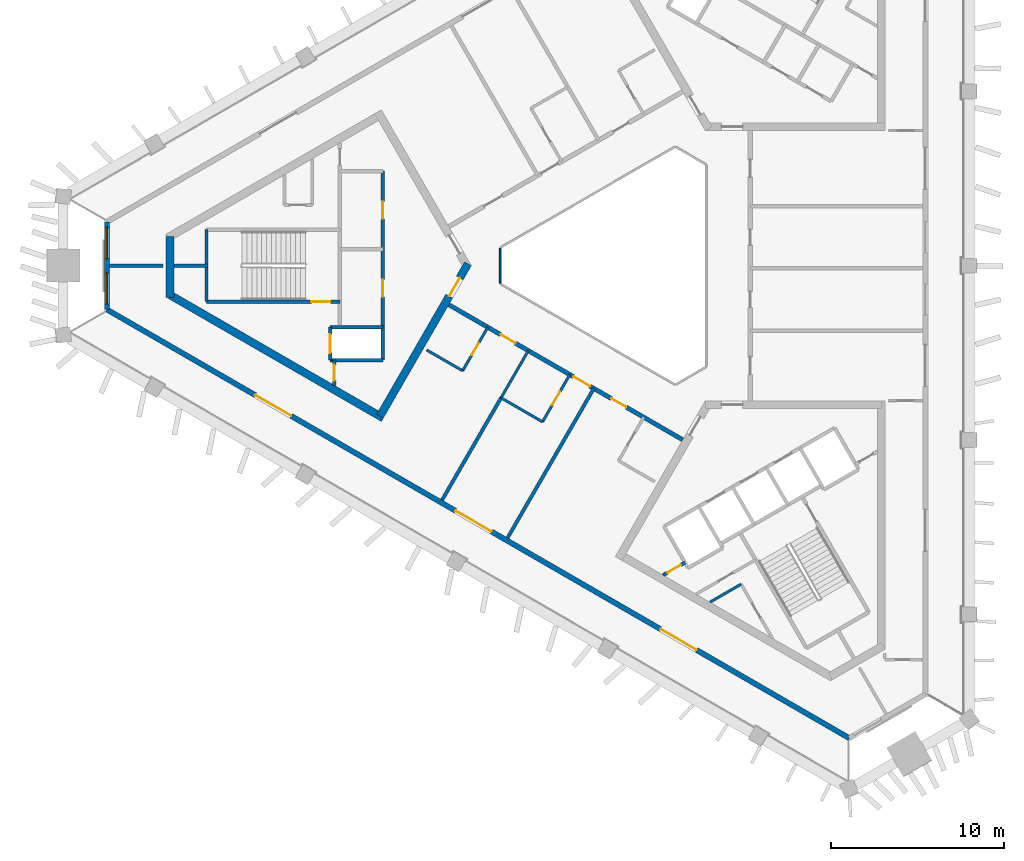
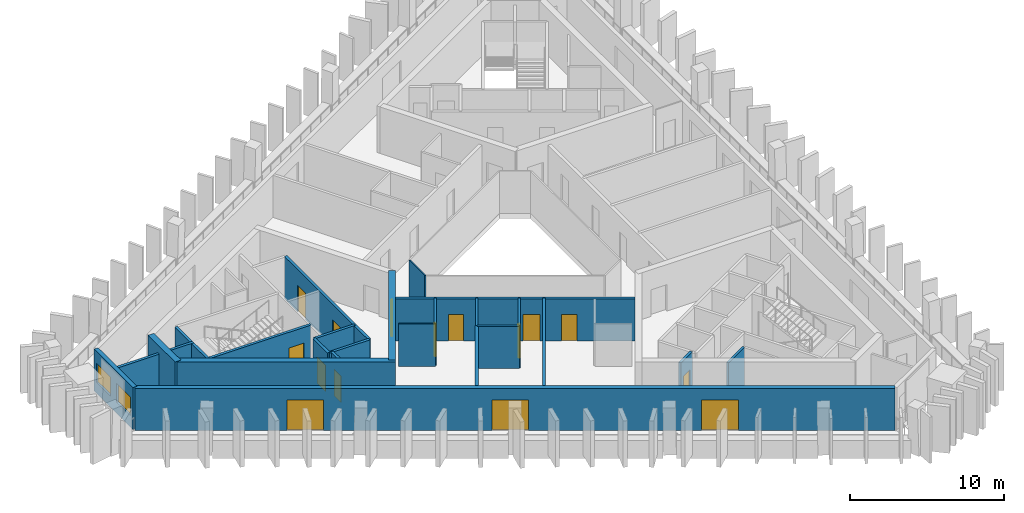
# One storey, part 2 of 9: 25 walls, 15 doors, 2 windows, 17 openings.
"""IFC4 building model written with IfcOpenShell, lengths in metres."""

from ifc_helpers import new_model, si_unit, direction, frame, frame_2d, origin, place, context, subcontext, project, spatial, rectangle, extrude, material, layer, layer_set, type_object, element, fill, save


model = new_model("IFC4")

# Units and contexts
model_context = context("Model", 3, precision=1e-05, world=origin(), true_north=direction((0.0, 1.0)))
body_context = subcontext(model_context, "Body", "Model", "MODEL_VIEW")
ifc_project = project(units=[si_unit("LENGTHUNIT", "METRE"), si_unit("AREAUNIT", "SQUARE_METRE"), si_unit("VOLUMEUNIT", "CUBIC_METRE"), si_unit("PLANEANGLEUNIT", "RADIAN"), si_unit("MASSUNIT", "GRAM", prefix="KILO")], contexts=[model_context])

# Site, building, storey
site_placement = place(None, origin())
site = spatial("IfcSite", under=ifc_project, at=site_placement, CompositionType="ELEMENT")
building_placement = place(site_placement, origin())
building = spatial("IfcBuilding", under=site, at=building_placement, Name="Jabali Bay Hotel Tower and Convention Centre", CompositionType="ELEMENT")
storey_placement = place(building_placement, frame((0.0, 0.0, 242.800048828125)))
storey = spatial("IfcBuildingStorey", under=building, at=storey_placement, Name="L60", CompositionType="ELEMENT", Elevation=242.800048828125)

# Walls
ifc_material_1 = material(Name="Fire-resistant glazing", Category="glass")
ifc_layer_1 = layer(ifc_material_1, 0.10009765625)
ifc_layer_set_1 = layer_set([ifc_layer_1], Name="Fire-resistant glazing")
wall_type_1 = type_object("IfcWallType", Name="Atrium glazed screen 100", PredefinedType="PARTITIONING", material=ifc_layer_set_1)
wall_1_placement = place(storey_placement, frame((67.672119140625, 81.0, 0.0), z_axis=(0.0, 0.0, 1.0), x_axis=(0.0, -1.0, 0.0)))
element("IfcWall", 1, at=wall_1_placement, inside=storey, type_object=wall_type_1, Name="Atrium screen 4 L60", PredefinedType="PARTITIONING", context=body_context, shape_type="SweptSolid", body=[
    extrude(rectangle(XDim=2.0, YDim=0.10009765625, at=frame_2d((1.0, 0.0))), origin(), (0.0, 0.0, 1.0), 3.349853515625),
])
ifc_material_2 = material(Name="Concrete C40", Category="concrete")
ifc_layer_2 = layer(ifc_material_2, 0.199951171875)
ifc_layer_set_2 = layer_set([ifc_layer_2], Name="Concrete C40")
wall_type_2 = type_object("IfcWallType", Name="Core partition wall 200", PredefinedType="PARTITIONING", material=ifc_layer_set_2)
wall_2_placement = place(storey_placement, frame((50.820068359375, 80.0, 0.0), z_axis=(0.0, 0.0, 1.0), x_axis=(-1.0, 0.0, 0.0)))
element("IfcWall", 2, at=wall_2_placement, inside=storey, type_object=wall_type_2, Name="Core wall 0.4 L60", PredefinedType="PARTITIONING", context=body_context, shape_type="SweptSolid", body=[
    extrude(rectangle(XDim=1.97314453125, YDim=0.199951171875, at=frame_2d((0.986572265625, 0.0))), origin(), (0.0, 0.0, 1.0), 3.349853515625),
])

# Wall, opening, door
wall_3_placement = place(storey_placement, frame((58.10009765625, 74.550048828125, 0.0), z_axis=(0.0, 0.0, 1.0), x_axis=(0.0, -1.0, 0.0)))
wall_3 = element("IfcWall", 3, at=wall_3_placement, inside=storey, type_object=wall_type_2, Name="Core wall 0.10 L60", PredefinedType="PARTITIONING", context=body_context, shape_type="SweptSolid", body=[
    extrude(rectangle(XDim=1.455078125, YDim=0.199951171875, at=frame_2d((0.7275390625, 0.0))), origin(), (0.0, 0.0, 1.0), 3.349853515625),
])
opening_1_placement = place(wall_3_placement, frame((0.277587890625, 0.0, 0.0)))
opening_1 = element("IfcOpeningElement", 4, at=opening_1_placement, cuts=wall_3, Name="Opening D1309", PredefinedType="OPENING", context=body_context, shape_type="SweptSolid", body=[
    extrude(rectangle(XDim=0.89990234375, YDim=2.10009765625, at=frame_2d((0.449951171875, 1.050048828125))), frame((0.0, 0.1103515625, 0.0), z_axis=(0.0, -1.0, 0.0), x_axis=(1.0, 0.0, 0.0)), (0.0, 0.0, 1.0), 0.220947265625),
])
ifc_material_3 = material(Name="Fire-rated steel door", Category="steel")
door_type_1 = type_object("IfcDoorType", Name="Vestibule fire door 900 x 2100", OperationType="NOTDEFINED", PredefinedType="NOTDEFINED", material=ifc_material_3)
door_1_placement = place(opening_1_placement, origin())
door_1 = element("IfcDoor", 5, at=door_1_placement, inside=storey, type_object=door_type_1, Name="Vestibule fire door D1309", OperationType="SINGLE_SWING_LEFT", OverallHeight=2.10009765625, OverallWidth=0.89990234375, PredefinedType="NOTDEFINED", context=body_context, shape_type="SweptSolid", body=[
    extrude(rectangle(XDim=0.89990234375, YDim=2.10009765625, at=frame_2d((0.449951171875, 1.050048828125))), frame((0.0, 0.02490234375, 0.0), z_axis=(0.0, -1.0, 0.0), x_axis=(1.0, 0.0, 0.0)), (0.0, 0.0, 1.0), 0.050048828125),
])
fill(opening_1, door_1)

wall_4_placement = place(storey_placement, frame((77.070068359375, 62.142578125, 0.0), z_axis=(0.0, 0.0, 1.0), x_axis=(0.866013036001, 0.500021421018, 0.0)))
wall_4 = element("IfcWall", 6, at=wall_4_placement, inside=storey, type_object=wall_type_2, Name="Core wall 2.11 L60", PredefinedType="PARTITIONING", context=body_context, shape_type="SweptSolid", body=[
    extrude(rectangle(XDim=1.4609375, YDim=0.199951171875, at=frame_2d((0.73046875, 0.0))), origin(), (0.0, 0.0, 1.0), 3.349853515625),
])
opening_2_placement = place(wall_4_placement, frame((0.280517578125, 0.0, 0.0)))
opening_2 = element("IfcOpeningElement", 7, at=opening_2_placement, cuts=wall_4, Name="Opening D1326", PredefinedType="OPENING", context=body_context, shape_type="SweptSolid", body=[
    extrude(rectangle(XDim=0.89990234375, YDim=2.10009765625, at=frame_2d((0.449951171875, 1.050048828125))), frame((0.0, 0.1103515625, 0.0), z_axis=(0.0, -1.0, 0.0), x_axis=(1.0, 0.0, 0.0)), (0.0, 0.0, 1.0), 0.220947265625),
])
door_2_placement = place(opening_2_placement, origin())
door_2 = element("IfcDoor", 8, at=door_2_placement, inside=storey, type_object=door_type_1, Name="Vestibule fire door D1326", OperationType="SINGLE_SWING_LEFT", OverallHeight=2.10009765625, OverallWidth=0.89990234375, PredefinedType="NOTDEFINED", context=body_context, shape_type="SweptSolid", body=[
    extrude(rectangle(XDim=0.89990234375, YDim=2.10009765625, at=frame_2d((0.449951171875, 1.050048828125))), frame((0.0, 0.02490234375, 0.0), z_axis=(0.0, -1.0, 0.0), x_axis=(1.0, 0.0, 0.0)), (0.0, 0.0, 1.0), 0.050048828125),
])
fill(opening_2, door_2)

# Wall
ifc_material_4 = material(Name="Fire-rated board partition")
ifc_layer_3 = layer(ifc_material_4, 0.14990234375)
ifc_layer_set_3 = layer_set([ifc_layer_3], Name="Fire-rated board partition")
wall_type_3 = type_object("IfcWallType", Name="Core room partition 150", PredefinedType="PARTITIONING", material=ifc_layer_set_3)
wall_5_placement = place(storey_placement, frame((79.77001953125, 60.583740234375, 0.0), z_axis=(0.0, 0.0, 1.0), x_axis=(0.866021168401, 0.500007335828, 0.0)))
element("IfcWall", 9, at=wall_5_placement, inside=storey, type_object=wall_type_3, Name="Core wall 2.17 L60", PredefinedType="PARTITIONING", context=body_context, shape_type="SweptSolid", body=[
    extrude(rectangle(XDim=2.0771484375, YDim=0.14990234375, at=frame_2d((1.03857421875, 0.0))), origin(), (0.0, 0.0, 1.0), 3.349853515625),
])

# Wall, opening, door
ifc_layer_4 = layer(ifc_material_2, 0.199951171875)
ifc_layer_set_4 = layer_set([ifc_layer_4], Name="Concrete C40")
wall_type_4 = type_object("IfcWallType", Name="Core stair wall 200", PredefinedType="SOLIDWALL", material=ifc_layer_set_4)
wall_6_placement = place(storey_placement, frame((58.419921875, 77.925048828125, 0.0), z_axis=(0.0, 0.0, 1.0), x_axis=(-1.0, 0.0, 0.0)))
wall_6 = element("IfcWall", 10, at=wall_6_placement, inside=storey, type_object=wall_type_4, Name="Core wall 0.5 L60", PredefinedType="SOLIDWALL", context=body_context, shape_type="SweptSolid", body=[
    extrude(rectangle(XDim=7.699951171875, YDim=0.199951171875, at=frame_2d((3.85009765625, 0.0))), origin(), (0.0, 0.0, 1.0), 3.349853515625),
])
opening_3_placement = place(wall_6_placement, frame((0.550048828125, 0.0, 0.0)))
opening_3 = element("IfcOpeningElement", 11, at=opening_3_placement, cuts=wall_6, Name="Opening D1311", PredefinedType="OPENING", context=body_context, shape_type="SweptSolid", body=[
    extrude(rectangle(XDim=1.10009765625, YDim=2.10009765625, at=frame_2d((0.550048828125, 1.050048828125))), frame((0.0, 0.1103515625, 0.0), z_axis=(0.0, -1.0, 0.0), x_axis=(1.0, 0.0, 0.0)), (0.0, 0.0, 1.0), 0.220947265625),
])
door_type_2 = type_object("IfcDoorType", Name="Stair fire door 1100 x 2100", OperationType="NOTDEFINED", PredefinedType="NOTDEFINED", material=ifc_material_3)
door_3_placement = place(opening_3_placement, origin())
door_3 = element("IfcDoor", 12, at=door_3_placement, inside=storey, type_object=door_type_2, Name="Stair fire door D1311", OperationType="SINGLE_SWING_RIGHT", OverallHeight=2.10009765625, OverallWidth=1.10009765625, PredefinedType="NOTDEFINED", context=body_context, shape_type="SweptSolid", body=[
    extrude(rectangle(XDim=1.10009765625, YDim=2.10009765625, at=frame_2d((0.550048828125, 1.050048828125))), frame((0.0, 0.02490234375, 0.0), z_axis=(0.0, -1.0, 0.0), x_axis=(1.0, 0.0, 0.0)), (0.0, 0.0, 1.0), 0.050048828125),
])
fill(opening_3, door_3)

# Walls
for number, where, z_axis, x_axis, name in (
    (13, (60.89990234375, 76.449951171875, 0.0), (0.0, 0.0, 1.0), (-1.0, 0.0, 0.0), "Core wall 0.6 L60"),
    (14, (60.89990234375, 74.550048828125, 0.0), (0.0, 0.0, 1.0), (-1.0, 0.0, 0.0), "Core wall 0.7 L60"),
):
    element("IfcWall", number, at=place(storey_placement, frame(where, z_axis=z_axis, x_axis=x_axis)), inside=storey, type_object=wall_type_4, Name=name, PredefinedType="SOLIDWALL", context=body_context, shape_type="SweptSolid", body=[
        extrude(rectangle(XDim=3.0498046875, YDim=0.199951171875, at=frame_2d((1.52490234375, 0.0))), origin(), (0.0, 0.0, 1.0), 3.349853515625),
    ])

# Wall, openings, doors
wall_7_placement = place(storey_placement, frame((60.89990234375, 85.449951171875, 0.0), z_axis=(0.0, 0.0, 1.0), x_axis=(0.0, -1.0, 0.0)))
wall_7 = element("IfcWall", 15, at=wall_7_placement, inside=storey, type_object=wall_type_4, Name="Core wall 0.8 L60", PredefinedType="SOLIDWALL", context=body_context, shape_type="SweptSolid", body=[
    extrude(rectangle(XDim=10.89990234375, YDim=0.199951171875, at=frame_2d((5.449951171875, 0.0))), origin(), (0.0, 0.0, 1.0), 3.349853515625),
])
opening_4_placement = place(wall_7_placement, frame((1.75, 0.0, 0.0)))
opening_4 = element("IfcOpeningElement", 16, at=opening_4_placement, cuts=wall_7, Name="Opening D1307", PredefinedType="OPENING", context=body_context, shape_type="SweptSolid", body=[
    extrude(rectangle(XDim=1.0, YDim=2.10009765625, at=frame_2d((0.5, 1.050048828125))), frame((0.0, 0.1103515625, 0.0), z_axis=(0.0, -1.0, 0.0), x_axis=(1.0, 0.0, 0.0)), (0.0, 0.0, 1.0), 0.220947265625),
])
opening_5_placement = place(wall_7_placement, frame((6.25, 0.0, 0.0)))
opening_5 = element("IfcOpeningElement", 17, at=opening_5_placement, cuts=wall_7, Name="Opening D1308", PredefinedType="OPENING", context=body_context, shape_type="SweptSolid", body=[
    extrude(rectangle(XDim=1.0, YDim=2.10009765625, at=frame_2d((0.5, 1.050048828125))), frame((0.0, 0.1103515625, 0.0), z_axis=(0.0, -1.0, 0.0), x_axis=(1.0, 0.0, 0.0)), (0.0, 0.0, 1.0), 0.220947265625),
])
door_type_3 = type_object("IfcDoorType", Name="Core room door 1000 x 2100", OperationType="NOTDEFINED", PredefinedType="NOTDEFINED", material=ifc_material_3)
door_4_placement = place(opening_4_placement, origin())
door_4 = element("IfcDoor", 18, at=door_4_placement, inside=storey, type_object=door_type_3, Name="Core room door D1307", OperationType="SINGLE_SWING_RIGHT", OverallHeight=2.10009765625, OverallWidth=1.0, PredefinedType="NOTDEFINED", context=body_context, shape_type="SweptSolid", body=[
    extrude(rectangle(XDim=1.0, YDim=2.10009765625, at=frame_2d((0.5, 1.050048828125))), frame((0.0, 0.02490234375, 0.0), z_axis=(0.0, -1.0, 0.0), x_axis=(1.0, 0.0, 0.0)), (0.0, 0.0, 1.0), 0.050048828125),
])
fill(opening_4, door_4)
door_5_placement = place(opening_5_placement, origin())
door_5 = element("IfcDoor", 19, at=door_5_placement, inside=storey, type_object=door_type_3, Name="Core room door D1308", OperationType="SINGLE_SWING_RIGHT", OverallHeight=2.10009765625, OverallWidth=1.0, PredefinedType="NOTDEFINED", context=body_context, shape_type="SweptSolid", body=[
    extrude(rectangle(XDim=1.0, YDim=2.10009765625, at=frame_2d((0.5, 1.050048828125))), frame((0.0, 0.02490234375, 0.0), z_axis=(0.0, -1.0, 0.0), x_axis=(1.0, 0.0, 0.0)), (0.0, 0.0, 1.0), 0.050048828125),
])
fill(opening_5, door_5)

# Wall, opening, door
wall_8_placement = place(storey_placement, frame((57.85009765625, 76.449951171875, 0.0), z_axis=(0.0, 0.0, 1.0), x_axis=(0.0, -1.0, 0.0)))
wall_8 = element("IfcWall", 20, at=wall_8_placement, inside=storey, type_object=wall_type_4, Name="Core wall 0.11 L60", PredefinedType="SOLIDWALL", context=body_context, shape_type="SweptSolid", body=[
    extrude(rectangle(XDim=1.89990234375, YDim=0.199951171875, at=frame_2d((0.949951171875, 0.0))), origin(), (0.0, 0.0, 1.0), 3.349853515625),
])
opening_6_placement = place(wall_8_placement, frame((0.39990234375, 0.0, 0.0)))
opening_6 = element("IfcOpeningElement", 21, at=opening_6_placement, cuts=wall_8, Name="Opening LD5-L60", PredefinedType="OPENING", context=body_context, shape_type="SweptSolid", body=[
    extrude(rectangle(XDim=1.10009765625, YDim=2.10009765625, at=frame_2d((0.550048828125, 1.050048828125))), frame((0.0, 0.1103515625, 0.0), z_axis=(0.0, -1.0, 0.0), x_axis=(1.0, 0.0, 0.0)), (0.0, 0.0, 1.0), 0.220947265625),
])
ifc_material_5 = material(Name="Stainless steel landing door", Category="steel")
door_type_4 = type_object("IfcDoorType", Name="Landing door 1100 x 2100", OperationType="NOTDEFINED", PredefinedType="NOTDEFINED", material=ifc_material_5)
door_6_placement = place(opening_6_placement, origin())
door_6 = element("IfcDoor", 22, at=door_6_placement, inside=storey, type_object=door_type_4, Name="Landing doors LD5-L60", OperationType="SLIDING_TO_RIGHT", OverallHeight=2.10009765625, OverallWidth=1.10009765625, PredefinedType="NOTDEFINED", context=body_context, shape_type="SweptSolid", body=[
    extrude(rectangle(XDim=1.10009765625, YDim=2.10009765625, at=frame_2d((0.550048828125, 1.050048828125))), frame((0.0, 0.02490234375, 0.0), z_axis=(0.0, -1.0, 0.0), x_axis=(1.0, 0.0, 0.0)), (0.0, 0.0, 1.0), 0.050048828125),
])
fill(opening_6, door_6)

# Walls
wall_9_placement = place(storey_placement, frame((50.719970703125, 82.074951171875, 0.0), z_axis=(0.0, 0.0, 1.0), x_axis=(0.0, -1.0, 0.0)))
element("IfcWall", 23, at=wall_9_placement, inside=storey, type_object=wall_type_4, Name="Core wall 0.14 L60", PredefinedType="SOLIDWALL", context=body_context, shape_type="SweptSolid", body=[
    extrude(rectangle(XDim=4.14990234375, YDim=0.199951171875, at=frame_2d((2.074951171875, 0.0))), origin(), (0.0, 0.0, 1.0), 3.349853515625),
])
ifc_material_6 = material(Name="Concrete C60", Category="concrete")
ifc_layer_5 = layer(ifc_material_6, 0.449951171875)
ifc_layer_set_5 = layer_set([ifc_layer_5], Name="Concrete C60")
wall_type_5 = type_object("IfcWallType", Name="Core wall 450", PredefinedType="SHEAR", material=ifc_layer_set_5)
wall_10_placement = place(storey_placement, frame((48.621826171875, 81.692626953125, 0.0), z_axis=(0.0, 0.0, 1.0), x_axis=(0.0, -1.0, 0.0)))
element("IfcWall", 24, at=wall_10_placement, inside=storey, type_object=wall_type_5, Name="Core wall 1.3 L60", PredefinedType="SHEAR", context=body_context, shape_type="SweptSolid", body=[
    extrude(rectangle(XDim=3.515380859375, YDim=0.449951171875, at=frame_2d((1.7578125, 0.0))), origin(), (0.0, 0.0, 1.0), 3.699951171875),
])
wall_11_placement = place(storey_placement, frame((48.621826171875, 78.307373046875, 0.0), z_axis=(0.0, 0.0, 1.0), x_axis=(0.86602701116, -0.499997215934, 0.0)))
element("IfcWall", 25, at=wall_11_placement, inside=storey, type_object=wall_type_5, Name="Core wall 1.4 L60", PredefinedType="SHEAR", context=body_context, shape_type="SweptSolid", body=[
    extrude(rectangle(XDim=14.20361328125, YDim=0.449951171875, at=frame_2d((7.101806640625, 0.0))), origin(), (0.0, 0.0, 1.0), 3.699951171875),
])

# Wall, opening, door
wall_12_placement = place(storey_placement, frame((60.7275390625, 71.318115234375, 0.0), z_axis=(0.0, 0.0, 1.0), x_axis=(0.500012416173, 0.866018235185, 0.0)))
wall_12 = element("IfcWall", 26, at=wall_12_placement, inside=storey, type_object=wall_type_5, Name="Core wall 1.5 L60", PredefinedType="SHEAR", context=body_context, shape_type="SweptSolid", body=[
    extrude(rectangle(XDim=10.155029296875, YDim=0.449951171875, at=frame_2d((5.07763671875, 0.0))), origin(), (0.0, 0.0, 1.0), 3.699951171875),
])
opening_7_placement = place(wall_12_placement, frame((8.0048828125, 0.0, 0.0)))
opening_7 = element("IfcOpeningElement", 27, at=opening_7_placement, cuts=wall_12, Name="Opening D1306", PredefinedType="OPENING", context=body_context, shape_type="SweptSolid", body=[
    extrude(rectangle(XDim=1.199951171875, YDim=2.10009765625, at=frame_2d((0.60009765625, 1.050048828125))), frame((0.0, 0.2353515625, 0.0), z_axis=(0.0, -1.0, 0.0), x_axis=(1.0, 0.0, 0.0)), (0.0, 0.0, 1.0), 0.470947265625),
])
door_type_5 = type_object("IfcDoorType", Name="Corridor end fire door 1200 x 2100", OperationType="NOTDEFINED", PredefinedType="NOTDEFINED", material=ifc_material_3)
door_7_placement = place(opening_7_placement, origin())
door_7 = element("IfcDoor", 28, at=door_7_placement, inside=storey, type_object=door_type_5, Name="Corridor end fire door D1306", OperationType="SINGLE_SWING_LEFT", OverallHeight=2.10009765625, OverallWidth=1.199951171875, PredefinedType="NOTDEFINED", context=body_context, shape_type="SweptSolid", body=[
    extrude(rectangle(XDim=1.199951171875, YDim=2.10009765625, at=frame_2d((0.60009765625, 1.050048828125))), frame((0.0, 0.02490234375, 0.0), z_axis=(0.0, -1.0, 0.0), x_axis=(1.0, 0.0, 0.0)), (0.0, 0.0, 1.0), 0.050048828125),
])
fill(opening_7, door_7)

# Wall, openings, doors
ifc_layer_6 = layer(ifc_material_6, 0.25)
ifc_layer_set_6 = layer_set([ifc_layer_6], Name="Concrete C60")
wall_type_6 = type_object("IfcWallType", Name="Corridor wall 250", PredefinedType="SHEAR", material=ifc_layer_set_6)
wall_13_placement = place(storey_placement, frame((64.699951171875, 77.748291015625, 0.0), z_axis=(0.0, 0.0, 1.0), x_axis=(0.866026492143, -0.499998114903, 0.0)))
wall_13 = element("IfcWall", 29, at=wall_13_placement, inside=storey, type_object=wall_type_6, Name="Corridor wall 3 L60", PredefinedType="SHEAR", context=body_context, shape_type="SweptSolid", body=[
    extrude(rectangle(XDim=15.58837890625, YDim=0.25, at=frame_2d((7.794189453125, 0.0))), origin(), (0.0, 0.0, 1.0), 3.349853515625),
])
opening_8_placement = place(wall_13_placement, frame((3.449951171875, 0.0, 0.0)))
opening_8 = element("IfcOpeningElement", 30, at=opening_8_placement, cuts=wall_13, Name="Opening 6015", PredefinedType="OPENING", context=body_context, shape_type="SweptSolid", body=[
    extrude(rectangle(XDim=1.0, YDim=2.10009765625, at=frame_2d((0.5, 1.050048828125))), frame((0.0, 0.135498046875, 0.0), z_axis=(0.0, -1.0, 0.0), x_axis=(1.0, 0.0, 0.0)), (0.0, 0.0, 1.0), 0.27099609375),
])
opening_9_placement = place(wall_13_placement, frame((8.314697265625, 0.0, 0.0)))
opening_9 = element("IfcOpeningElement", 31, at=opening_9_placement, cuts=wall_13, Name="Opening 6017", PredefinedType="OPENING", context=body_context, shape_type="SweptSolid", body=[
    extrude(rectangle(XDim=1.10009765625, YDim=2.10009765625, at=frame_2d((0.550048828125, 1.050048828125))), frame((0.0, 0.135498046875, 0.0), z_axis=(0.0, -1.0, 0.0), x_axis=(1.0, 0.0, 0.0)), (0.0, 0.0, 1.0), 0.27099609375),
])
opening_10_placement = place(wall_13_placement, frame((10.82666015625, 0.0, 0.0)))
opening_10 = element("IfcOpeningElement", 32, at=opening_10_placement, cuts=wall_13, Name="Opening 6019", PredefinedType="OPENING", context=body_context, shape_type="SweptSolid", body=[
    extrude(rectangle(XDim=1.0, YDim=2.10009765625, at=frame_2d((0.5, 1.050048828125))), frame((0.0, 0.135498046875, 0.0), z_axis=(0.0, -1.0, 0.0), x_axis=(1.0, 0.0, 0.0)), (0.0, 0.0, 1.0), 0.27099609375),
])
ifc_material_7 = material(Name="Timber", Category="wood")
door_type_6 = type_object("IfcDoorType", Name="Accessible guest room door 1100 x 2100", OperationType="NOTDEFINED", PredefinedType="NOTDEFINED", material=ifc_material_7)
door_8_placement = place(opening_9_placement, origin())
door_8 = element("IfcDoor", 33, at=door_8_placement, inside=storey, type_object=door_type_6, Name="Door 6017", OperationType="SINGLE_SWING_RIGHT", OverallHeight=2.10009765625, OverallWidth=1.10009765625, PredefinedType="NOTDEFINED", context=body_context, shape_type="SweptSolid", body=[
    extrude(rectangle(XDim=1.10009765625, YDim=2.10009765625, at=frame_2d((0.550048828125, 1.050048828125))), frame((0.0, 0.02490234375, 0.0), z_axis=(0.0, -1.0, 0.0), x_axis=(1.0, 0.0, 0.0)), (0.0, 0.0, 1.0), 0.050048828125),
])
fill(opening_9, door_8)
door_type_7 = type_object("IfcDoorType", Name="Guest room door 1000 x 2100", OperationType="NOTDEFINED", PredefinedType="NOTDEFINED", material=ifc_material_7)
door_9_placement = place(opening_8_placement, origin())
door_9 = element("IfcDoor", 34, at=door_9_placement, inside=storey, type_object=door_type_7, Name="Door 6015", OperationType="SINGLE_SWING_LEFT", OverallHeight=2.10009765625, OverallWidth=1.0, PredefinedType="NOTDEFINED", context=body_context, shape_type="SweptSolid", body=[
    extrude(rectangle(XDim=1.0, YDim=2.10009765625, at=frame_2d((0.5, 1.050048828125))), frame((0.0, 0.02490234375, 0.0), z_axis=(0.0, -1.0, 0.0), x_axis=(1.0, 0.0, 0.0)), (0.0, 0.0, 1.0), 0.050048828125),
])
fill(opening_8, door_9)
door_10_placement = place(opening_10_placement, origin())
door_10 = element("IfcDoor", 35, at=door_10_placement, inside=storey, type_object=door_type_7, Name="Door 6019", OperationType="SINGLE_SWING_RIGHT", OverallHeight=2.10009765625, OverallWidth=1.0, PredefinedType="NOTDEFINED", context=body_context, shape_type="SweptSolid", body=[
    extrude(rectangle(XDim=1.0, YDim=2.10009765625, at=frame_2d((0.5, 1.050048828125))), frame((0.0, 0.02490234375, 0.0), z_axis=(0.0, -1.0, 0.0), x_axis=(1.0, 0.0, 0.0)), (0.0, 0.0, 1.0), 0.050048828125),
])
fill(opening_10, door_10)

# Wall, openings, windows
ifc_layer_7 = layer(ifc_material_2, 0.300048828125)
ifc_layer_set_7 = layer_set([ifc_layer_7], Name="Concrete C40")
wall_type_7 = type_object("IfcWallType", Name="External wall 300", PredefinedType="SOLIDWALL", material=ifc_layer_set_7)
wall_14_placement = place(storey_placement, frame((44.975341796875, 77.469482421875, 0.0), z_axis=(0.0, 0.0, 1.0), x_axis=(0.0, 1.0, 0.0)))
wall_14 = element("IfcWall", 36, at=wall_14_placement, inside=storey, type_object=wall_type_7, Name="External wall west chamfer L60", PredefinedType="SOLIDWALL", context=body_context, shape_type="SweptSolid", body=[
    extrude(rectangle(XDim=5.06103515625, YDim=0.300048828125, at=frame_2d((2.530517578125, 0.0))), origin(), (0.0, 0.0, 1.0), 3.349853515625),
])
opening_11_placement = place(wall_14_placement, frame((2.9384765625, 0.0, 0.89990234375)))
opening_11 = element("IfcOpeningElement", 37, at=opening_11_placement, cuts=wall_14, Name="Opening W1", PredefinedType="OPENING", context=body_context, shape_type="SweptSolid", body=[
    extrude(rectangle(XDim=1.800048828125, YDim=1.5, at=frame_2d((0.89990234375, 0.75))), frame((0.0, 0.16064453125, 0.0), z_axis=(0.0, -1.0, 0.0), x_axis=(1.0, 0.0, 0.0)), (0.0, 0.0, 1.0), 0.321044921875),
])
opening_12_placement = place(wall_14_placement, frame((0.322509765625, 0.0, 0.89990234375)))
opening_12 = element("IfcOpeningElement", 38, at=opening_12_placement, cuts=wall_14, Name="Opening W1", PredefinedType="OPENING", context=body_context, shape_type="SweptSolid", body=[
    extrude(rectangle(XDim=1.800048828125, YDim=1.5, at=frame_2d((0.89990234375, 0.75))), frame((0.0, 0.16064453125, 0.0), z_axis=(0.0, -1.0, 0.0), x_axis=(1.0, 0.0, 0.0)), (0.0, 0.0, 1.0), 0.321044921875),
])
ifc_material_8 = material(Name="Glass", Category="glass")
window_type = type_object("IfcWindowType", Name="Window 1800 x 1500", PartitioningType="SINGLE_PANEL", PredefinedType="WINDOW", material=ifc_material_8)
window_1_placement = place(opening_11_placement, origin())
window_1 = element("IfcWindow", 39, at=window_1_placement, inside=storey, type_object=window_type, Name="Window 6007", OverallHeight=1.5, OverallWidth=1.800048828125, PartitioningType="SINGLE_PANEL", PredefinedType="WINDOW", context=body_context, shape_type="SweptSolid", body=[
    extrude(rectangle(XDim=1.800048828125, YDim=1.5, at=frame_2d((0.89990234375, 0.75))), frame((0.0, 0.030029296875, 0.0), z_axis=(0.0, -1.0, 0.0), x_axis=(1.0, 0.0, 0.0)), (0.0, 0.0, 1.0), 0.06005859375),
])
fill(opening_11, window_1)
window_2_placement = place(opening_12_placement, origin())
window_2 = element("IfcWindow", 40, at=window_2_placement, inside=storey, type_object=window_type, Name="Window 6008", OverallHeight=1.5, OverallWidth=1.800048828125, PartitioningType="SINGLE_PANEL", PredefinedType="WINDOW", context=body_context, shape_type="SweptSolid", body=[
    extrude(rectangle(XDim=1.800048828125, YDim=1.5, at=frame_2d((0.89990234375, 0.75))), frame((0.0, 0.030029296875, 0.0), z_axis=(0.0, -1.0, 0.0), x_axis=(1.0, 0.0, 0.0)), (0.0, 0.0, 1.0), 0.06005859375),
])
fill(opening_12, window_2)

# Wall, openings, doors
wall_15_placement = place(storey_placement, frame((87.82080078125, 52.732666015625, 0.0), z_axis=(0.0, 0.0, 1.0), x_axis=(-0.866025586464, 0.49999968359, 0.0)))
wall_15 = element("IfcWall", 41, at=wall_15_placement, inside=storey, type_object=wall_type_7, Name="External wall south-west face L60", PredefinedType="SOLIDWALL", context=body_context, shape_type="SweptSolid", body=[
    extrude(rectangle(XDim=49.4736328125, YDim=0.300048828125, at=frame_2d((24.73681640625, 0.0))), origin(), (0.0, 0.0, 1.0), 3.349853515625),
])
opening_13_placement = place(wall_15_placement, frame((23.8486328125, 0.0, 0.0)))
opening_13 = element("IfcOpeningElement", 42, at=opening_13_placement, cuts=wall_15, Name="Opening SD1", PredefinedType="OPENING", context=body_context, shape_type="SweptSolid", body=[
    extrude(rectangle(XDim=2.39990234375, YDim=2.39990234375, at=frame_2d((1.199951171875, 1.199951171875))), frame((0.0, 0.16064453125, 0.0), z_axis=(0.0, -1.0, 0.0), x_axis=(1.0, 0.0, 0.0)), (0.0, 0.0, 1.0), 0.321044921875),
])
opening_14_placement = place(wall_15_placement, frame((37.195556640625, 0.0, 0.0)))
opening_14 = element("IfcOpeningElement", 43, at=opening_14_placement, cuts=wall_15, Name="Opening SD1", PredefinedType="OPENING", context=body_context, shape_type="SweptSolid", body=[
    extrude(rectangle(XDim=2.39990234375, YDim=2.39990234375, at=frame_2d((1.199951171875, 1.199951171875))), frame((0.0, 0.16064453125, 0.0), z_axis=(0.0, -1.0, 0.0), x_axis=(1.0, 0.0, 0.0)), (0.0, 0.0, 1.0), 0.321044921875),
])
opening_15_placement = place(wall_15_placement, frame((10.189697265625, 0.0, 0.0)))
opening_15 = element("IfcOpeningElement", 44, at=opening_15_placement, cuts=wall_15, Name="Opening SD1", PredefinedType="OPENING", context=body_context, shape_type="SweptSolid", body=[
    extrude(rectangle(XDim=2.39990234375, YDim=2.39990234375, at=frame_2d((1.199951171875, 1.199951171875))), frame((0.0, 0.16064453125, 0.0), z_axis=(0.0, -1.0, 0.0), x_axis=(1.0, 0.0, 0.0)), (0.0, 0.0, 1.0), 0.321044921875),
])
door_type_8 = type_object("IfcDoorType", Name="Loggia sliding door 2400 x 2400", OperationType="NOTDEFINED", PredefinedType="NOTDEFINED", material=ifc_material_8)
door_11_placement = place(opening_13_placement, origin())
door_11 = element("IfcDoor", 45, at=door_11_placement, inside=storey, type_object=door_type_8, Name="Loggia sliding door 6009", OperationType="SLIDING_TO_LEFT", OverallHeight=2.39990234375, OverallWidth=2.39990234375, PredefinedType="NOTDEFINED", context=body_context, shape_type="SweptSolid", body=[
    extrude(rectangle(XDim=2.39990234375, YDim=2.39990234375, at=frame_2d((1.199951171875, 1.199951171875))), frame((0.0, 0.02490234375, 0.0), z_axis=(0.0, -1.0, 0.0), x_axis=(1.0, 0.0, 0.0)), (0.0, 0.0, 1.0), 0.050048828125),
])
fill(opening_13, door_11)
door_12_placement = place(opening_14_placement, origin())
door_12 = element("IfcDoor", 46, at=door_12_placement, inside=storey, type_object=door_type_8, Name="Loggia sliding door 6008", OperationType="SLIDING_TO_RIGHT", OverallHeight=2.39990234375, OverallWidth=2.39990234375, PredefinedType="NOTDEFINED", context=body_context, shape_type="SweptSolid", body=[
    extrude(rectangle(XDim=2.39990234375, YDim=2.39990234375, at=frame_2d((1.199951171875, 1.199951171875))), frame((0.0, 0.02490234375, 0.0), z_axis=(0.0, -1.0, 0.0), x_axis=(1.0, 0.0, 0.0)), (0.0, 0.0, 1.0), 0.050048828125),
])
fill(opening_14, door_12)
door_13_placement = place(opening_15_placement, origin())
door_13 = element("IfcDoor", 47, at=door_13_placement, inside=storey, type_object=door_type_8, Name="Loggia sliding door 6010", OperationType="SLIDING_TO_LEFT", OverallHeight=2.39990234375, OverallWidth=2.39990234375, PredefinedType="NOTDEFINED", context=body_context, shape_type="SweptSolid", body=[
    extrude(rectangle(XDim=2.39990234375, YDim=2.39990234375, at=frame_2d((1.199951171875, 1.199951171875))), frame((0.0, 0.02490234375, 0.0), z_axis=(0.0, -1.0, 0.0), x_axis=(1.0, 0.0, 0.0)), (0.0, 0.0, 1.0), 0.050048828125),
])
fill(opening_15, door_13)

# Wall, opening, door
ifc_material_9 = material(Name="Plasterboard on steel stud", Category="steel")
ifc_layer_8 = layer(ifc_material_9, 0.14990234375)
ifc_layer_set_8 = layer_set([ifc_layer_8], Name="Plasterboard on steel stud")
wall_type_8 = type_object("IfcWallType", Name="Partition 150 wet", PredefinedType="PARTITIONING", material=ifc_layer_set_8)
wall_16_placement = place(storey_placement, frame((66.95166015625, 76.4482421875, 0.0), z_axis=(0.0, 0.0, 1.0), x_axis=(-0.499987231761, -0.866032775405, 0.0)))
wall_16 = element("IfcWall", 48, at=wall_16_placement, inside=storey, type_object=wall_type_8, Name="Partition P03 L60 019", PredefinedType="PARTITIONING", context=body_context, shape_type="SweptSolid", body=[
    extrude(rectangle(XDim=2.89990234375, YDim=0.14990234375, at=frame_2d((1.449951171875, 0.0))), origin(), (0.0, 0.0, 1.0), 3.349853515625),
])
opening_16_placement = place(wall_16_placement, frame((1.050048828125, 0.0, 0.0)))
opening_16 = element("IfcOpeningElement", 49, at=opening_16_placement, cuts=wall_16, Name="Opening 6014", PredefinedType="OPENING", context=body_context, shape_type="SweptSolid", body=[
    extrude(rectangle(XDim=0.800048828125, YDim=2.10009765625, at=frame_2d((0.39990234375, 1.050048828125))), frame((0.0, 0.08544921875, 0.0), z_axis=(0.0, -1.0, 0.0), x_axis=(1.0, 0.0, 0.0)), (0.0, 0.0, 1.0), 0.1708984375),
])
door_type_9 = type_object("IfcDoorType", Name="En-suite door 800 x 2100", OperationType="NOTDEFINED", PredefinedType="NOTDEFINED", material=ifc_material_7)
door_14_placement = place(opening_16_placement, origin())
door_14 = element("IfcDoor", 50, at=door_14_placement, inside=storey, type_object=door_type_9, Name="Door 6014", OperationType="SINGLE_SWING_RIGHT", OverallHeight=2.10009765625, OverallWidth=0.800048828125, PredefinedType="NOTDEFINED", context=body_context, shape_type="SweptSolid", body=[
    extrude(rectangle(XDim=0.800048828125, YDim=2.10009765625, at=frame_2d((0.39990234375, 1.050048828125))), frame((0.0, 0.02490234375, 0.0), z_axis=(0.0, -1.0, 0.0), x_axis=(1.0, 0.0, 0.0)), (0.0, 0.0, 1.0), 0.050048828125),
])
fill(opening_16, door_14)

# Walls
wall_17_placement = place(storey_placement, frame((65.501708984375, 73.936767578125, 0.0), z_axis=(0.0, 0.0, 1.0), x_axis=(-0.865994240961, 0.500053971709, 0.0)))
element("IfcWall", 51, at=wall_17_placement, inside=storey, type_object=wall_type_8, Name="Partition P03 L60 020", PredefinedType="PARTITIONING", context=body_context, shape_type="SweptSolid", body=[
    extrude(rectangle(XDim=2.401123046875, YDim=0.14990234375, at=frame_2d((1.20068359375, 0.0))), origin(), (0.0, 0.0, 1.0), 3.349853515625),
])
wall_18_placement = place(storey_placement, frame((67.716552734375, 72.373046875, 0.0), z_axis=(0.0, 0.0, 1.0), x_axis=(0.500002266011, 0.866024095498, 0.0)))
element("IfcWall", 52, at=wall_18_placement, inside=storey, type_object=wall_type_8, Name="Partition P03 L60 022", PredefinedType="PARTITIONING", context=body_context, shape_type="SweptSolid", body=[
    extrude(rectangle(XDim=3.14697265625, YDim=0.14990234375, at=frame_2d((1.573486328125, 0.0))), origin(), (0.0, 0.0, 1.0), 3.349853515625),
])

# Wall, opening, door
wall_19_placement = place(storey_placement, frame((71.684326171875, 73.7158203125, 0.0), z_axis=(0.0, 0.0, 1.0), x_axis=(-0.499977671647, -0.866038294681, 0.0)))
wall_19 = element("IfcWall", 53, at=wall_19_placement, inside=storey, type_object=wall_type_8, Name="Partition P03 L60 023", PredefinedType="PARTITIONING", context=body_context, shape_type="SweptSolid", body=[
    extrude(rectangle(XDim=3.146728515625, YDim=0.14990234375, at=frame_2d((1.5732421875, 0.0))), origin(), (0.0, 0.0, 1.0), 3.349853515625),
])
opening_17_placement = place(wall_19_placement, frame((1.123046875, 0.0, 0.0)))
opening_17 = element("IfcOpeningElement", 54, at=opening_17_placement, cuts=wall_19, Name="Opening 6016", PredefinedType="OPENING", context=body_context, shape_type="SweptSolid", body=[
    extrude(rectangle(XDim=0.89990234375, YDim=2.10009765625, at=frame_2d((0.449951171875, 1.050048828125))), frame((0.0, 0.08544921875, 0.0), z_axis=(0.0, -1.0, 0.0), x_axis=(1.0, 0.0, 0.0)), (0.0, 0.0, 1.0), 0.1708984375),
])
door_type_10 = type_object("IfcDoorType", Name="Accessible en-suite door 900 x 2100", OperationType="NOTDEFINED", PredefinedType="NOTDEFINED", material=ifc_material_7)
door_15_placement = place(opening_17_placement, origin())
door_15 = element("IfcDoor", 55, at=door_15_placement, inside=storey, type_object=door_type_10, Name="Door 6016", OperationType="SINGLE_SWING_LEFT", OverallHeight=2.10009765625, OverallWidth=0.89990234375, PredefinedType="NOTDEFINED", context=body_context, shape_type="SweptSolid", body=[
    extrude(rectangle(XDim=0.89990234375, YDim=2.10009765625, at=frame_2d((0.449951171875, 1.050048828125))), frame((0.0, 0.02490234375, 0.0), z_axis=(0.0, -1.0, 0.0), x_axis=(1.0, 0.0, 0.0)), (0.0, 0.0, 1.0), 0.050048828125),
])
fill(opening_17, door_15)

# Walls
wall_20_placement = place(storey_placement, frame((70.111083984375, 70.99072265625, 0.0), z_axis=(0.0, 0.0, 1.0), x_axis=(-0.866050310653, 0.499956857557, 0.0)))
element("IfcWall", 56, at=wall_20_placement, inside=storey, type_object=wall_type_8, Name="Partition P03 L60 024", PredefinedType="PARTITIONING", context=body_context, shape_type="SweptSolid", body=[
    extrude(rectangle(XDim=2.764892578125, YDim=0.14990234375, at=frame_2d((1.38232421875, 0.0))), origin(), (0.0, 0.0, 1.0), 3.349853515625),
])
ifc_layer_9 = layer(ifc_material_9, 0.199951171875)
ifc_layer_set_9 = layer_set([ifc_layer_9], Name="Plasterboard on steel stud")
wall_type_9 = type_object("IfcWallType", Name="Partition 200 party", PredefinedType="PARTITIONING", material=ifc_layer_set_9)
wall_21_placement = place(storey_placement, frame((45.124267578125, 80.0009765625, 0.0), z_axis=(0.0, 0.0, 1.0), x_axis=(1.0, 0.0, 0.0)))
element("IfcWall", 57, at=wall_21_placement, inside=storey, type_object=wall_type_9, Name="Partition P01 L60 018", PredefinedType="PARTITIONING", context=body_context, shape_type="SweptSolid", body=[
    extrude(rectangle(XDim=3.07373046875, YDim=0.199951171875, at=frame_2d((1.536865234375, 0.0))), origin(), (0.0, 0.0, 1.0), 3.349853515625),
])
wall_22_placement = place(storey_placement, frame((64.3125, 66.477294921875, 0.0), z_axis=(0.0, 0.0, 1.0), x_axis=(0.500015286268, 0.866016578074, 0.0)))
element("IfcWall", 58, at=wall_22_placement, inside=storey, type_object=wall_type_9, Name="Partition P01 L60 021", PredefinedType="PARTITIONING", context=body_context, shape_type="SweptSolid", body=[
    extrude(rectangle(XDim=6.807861328125, YDim=0.199951171875, at=frame_2d((3.40380859375, 0.0))), origin(), (0.0, 0.0, 1.0), 3.349853515625),
])
wall_23_placement = place(storey_placement, frame((68.092529296875, 64.294921875, 0.0), z_axis=(0.0, 0.0, 1.0), x_axis=(0.500011170278, 0.866018954525, 0.0)))
element("IfcWall", 59, at=wall_23_placement, inside=storey, type_object=wall_type_9, Name="Partition P01 L60 025", PredefinedType="PARTITIONING", context=body_context, shape_type="SweptSolid", body=[
    extrude(rectangle(XDim=9.954833984375, YDim=0.199951171875, at=frame_2d((4.9775390625, 0.0))), origin(), (0.0, 0.0, 1.0), 3.349853515625),
])

save(model, "model.ifc")
